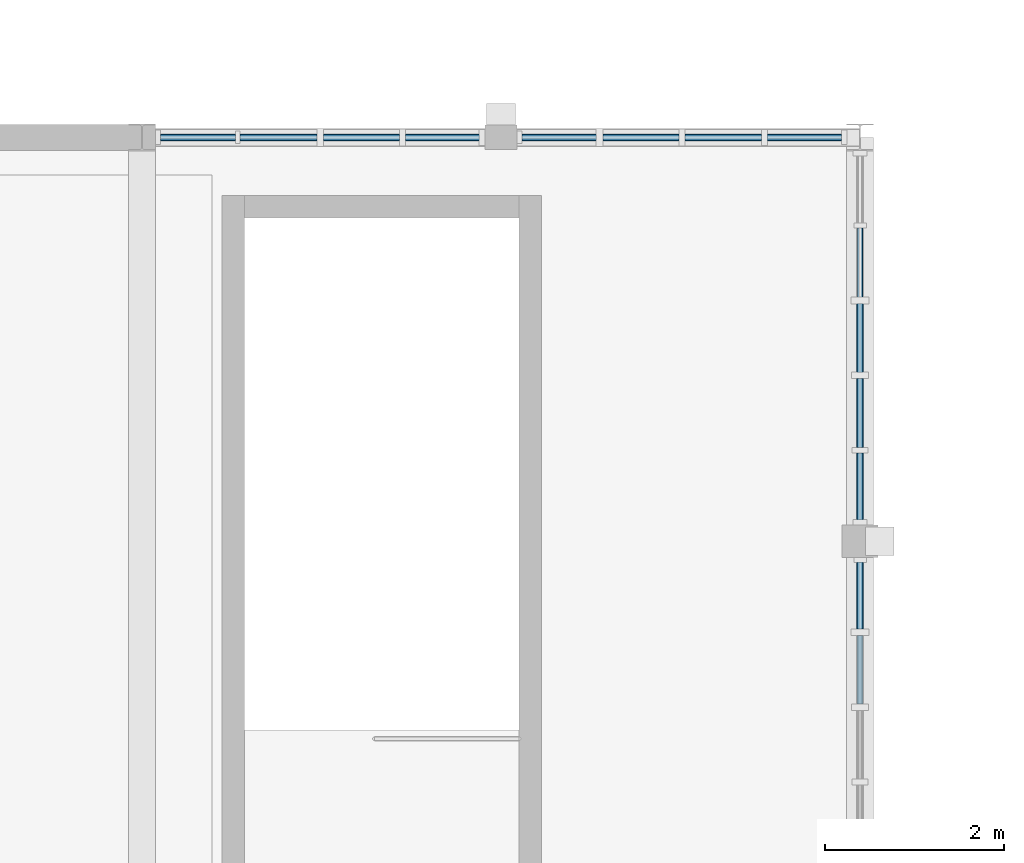
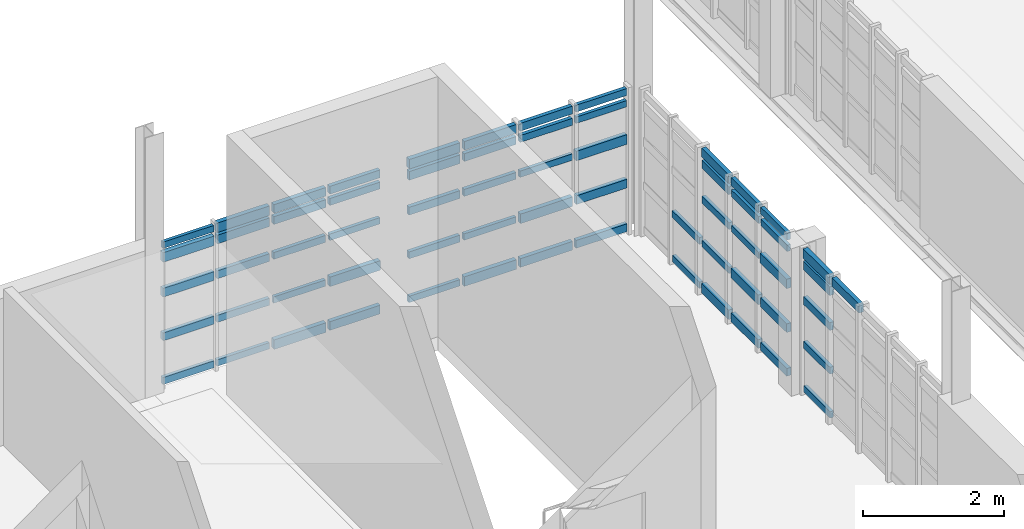
# One storey, part 20 of 44: 63 members, 4 elements without a shape of their own.
"""IFC4 building model written with IfcOpenShell, lengths in metres."""

from ifc_helpers import new_model, si_unit, direction, frame, origin, origin_2d, place, context, subcontext, project, spatial, rectangle, extrude, material, material_profile, profile_set, type_object, element, aggregate, save


model = new_model("IFC4")

# Units and contexts
model_context = context("Model", 3, precision=1e-05, world=origin(), true_north=direction((0.0, 1.0)))
body_context = subcontext(model_context, "Body", "Model", "MODEL_VIEW")
ifc_project = project(units=[si_unit("LENGTHUNIT", "METRE"), si_unit("AREAUNIT", "SQUARE_METRE"), si_unit("VOLUMEUNIT", "CUBIC_METRE"), si_unit("PLANEANGLEUNIT", "RADIAN"), si_unit("MASSUNIT", "GRAM", prefix="KILO")], contexts=[model_context])

# Site, building, storey
site_placement = place(None, origin())
site = spatial("IfcSite", under=ifc_project, at=site_placement, CompositionType="ELEMENT")
building_placement = place(site_placement, origin())
building = spatial("IfcBuilding", under=site, at=building_placement, Name="Serraforn Aerial Cableway Station", CompositionType="ELEMENT")
storey_placement = place(building_placement, frame((0.0, 0.0, 13.800048828125)))
storey = spatial("IfcBuildingStorey", under=building, at=storey_placement, Name="L03", CompositionType="ELEMENT", Elevation=13.800048828125)

# Curtain wall, members
ifc_material_1 = material(Name="Anodised bronze unitised curtain wall")
curtain_wall_type_1 = type_object("IfcCurtainWallType", Name="CW-SYS-13", PredefinedType="USERDEFINED", material=ifc_material_1)
curtain_wall_1_placement = place(storey_placement, origin())
curtain_wall_1 = element("IfcCurtainWall", 1, at=curtain_wall_1_placement, inside=storey, type_object=curtain_wall_type_1, Name="Unitised Curtain Wall CW-W-L03-N3A", ObjectType="UNITISED CURTAIN WALL", PredefinedType="USERDEFINED")
ifc_material_2 = material(Name="Anodised bronze extruded aluminium", Category="aluminium")
ifc_material_profile_1 = material_profile(ifc_material_2, rectangle(XDim=0.054931640625, YDim=0.110107421875, at=origin_2d()), Name="CW TRANSOM 55x110")
ifc_profile_set_1 = profile_set([ifc_material_profile_1], Name="Anodised bronze extruded aluminium")
member_type_1 = type_object("IfcMemberType", Name="CW-TRN-1", PredefinedType="USERDEFINED", material=ifc_profile_set_1)
member_1_placement = place(storey_placement, frame((23.7939453125, 36.0, 2.243896484375), z_axis=(-1.0, 0.0, 0.0), x_axis=(0.0, -1.0, 0.0)))
member_1 = element("IfcMember", 2, at=member_1_placement, type_object=member_type_1, Name="Curtain Wall Transom CW-W-L03-N3A-T1-4", ObjectType="TRANSOM", PredefinedType="USERDEFINED", context=body_context, shape_type="SweptSolid", body=[
    extrude(rectangle(XDim=0.054931640625, YDim=0.110107421875, at=origin_2d()), origin(), (0.0, 0.0, 1.0), 0.829345703125),
])
member_2_placement = place(storey_placement, frame((22.903564453125, 36.0, 1.6318359375), z_axis=(-1.0, 0.0, 0.0), x_axis=(0.0, -1.0, 0.0)))
member_2 = element("IfcMember", 3, at=member_2_placement, type_object=member_type_1, Name="Curtain Wall Transom CW-W-L03-N3A-T2-3", ObjectType="TRANSOM", PredefinedType="USERDEFINED", context=body_context, shape_type="SweptSolid", body=[
    extrude(rectangle(XDim=0.054931640625, YDim=0.110107421875, at=origin_2d()), origin(), (0.0, 0.0, 1.0), 0.8544921875),
])
member_3_placement = place(storey_placement, frame((21.98291015625, 36.0, 0.866943359375), z_axis=(-1.0, 0.0, 0.0), x_axis=(0.0, -1.0, 0.0)))
member_3 = element("IfcMember", 4, at=member_3_placement, type_object=member_type_1, Name="Curtain Wall Transom CW-W-L03-N3A-T3-2", ObjectType="TRANSOM", PredefinedType="USERDEFINED", context=body_context, shape_type="SweptSolid", body=[
    extrude(rectangle(XDim=0.054931640625, YDim=0.110107421875, at=origin_2d()), origin(), (0.0, 0.0, 1.0), 0.849365234375),
])
member_4_placement = place(storey_placement, frame((21.0625, 36.0, 0.10205078125), z_axis=(-1.0, 0.0, 0.0), x_axis=(0.0, -1.0, 0.0)))
member_4 = element("IfcMember", 5, at=member_4_placement, type_object=member_type_1, Name="Curtain Wall Transom CW-W-L03-N3A-T4-1", ObjectType="TRANSOM", PredefinedType="USERDEFINED", context=body_context, shape_type="SweptSolid", body=[
    extrude(rectangle(XDim=0.054931640625, YDim=0.110107421875, at=origin_2d()), origin(), (0.0, 0.0, 1.0), 0.82958984375),
])

curtain_wall_type_2 = type_object("IfcCurtainWallType", Name="CW-SYS-14", PredefinedType="USERDEFINED", material=ifc_material_1)
curtain_wall_2_placement = place(storey_placement, origin())
curtain_wall_2 = element("IfcCurtainWall", 6, at=curtain_wall_2_placement, inside=storey, type_object=curtain_wall_type_2, Name="Unitised Curtain Wall CW-W-L03-N3B", ObjectType="UNITISED CURTAIN WALL", PredefinedType="USERDEFINED")
member_5_placement = place(storey_placement, frame((19.757080078125, 36.0, 1.6318359375), z_axis=(-1.0, 0.0, 0.0), x_axis=(0.0, -1.0, 0.0)))
member_5 = element("IfcMember", 7, at=member_5_placement, type_object=member_type_1, Name="Curtain Wall Transom CW-W-L03-N3B-T1-3", ObjectType="TRANSOM", PredefinedType="USERDEFINED", context=body_context, shape_type="SweptSolid", body=[
    extrude(rectangle(XDim=0.054931640625, YDim=0.110107421875, at=origin_2d()), origin(), (0.0, 0.0, 1.0), 0.822021484375),
])
member_6_placement = place(storey_placement, frame((18.868896484375, 36.0, 0.866943359375), z_axis=(-1.0, 0.0, 0.0), x_axis=(0.0, -1.0, 0.0)))
member_6 = element("IfcMember", 8, at=member_6_placement, type_object=member_type_1, Name="Curtain Wall Transom CW-W-L03-N3B-T2-2", ObjectType="TRANSOM", PredefinedType="USERDEFINED", context=body_context, shape_type="SweptSolid", body=[
    extrude(rectangle(XDim=0.054931640625, YDim=0.110107421875, at=origin_2d()), origin(), (0.0, 0.0, 1.0), 0.849365234375),
])
member_7_placement = place(storey_placement, frame((17.948486328125, 36.0, 0.10205078125), z_axis=(-1.0, 0.0, 0.0), x_axis=(0.0, -1.0, 0.0)))
member_7 = element("IfcMember", 9, at=member_7_placement, type_object=member_type_1, Name="Curtain Wall Transom CW-W-L03-N3B-T3-1", ObjectType="TRANSOM", PredefinedType="USERDEFINED", context=body_context, shape_type="SweptSolid", body=[
    extrude(rectangle(XDim=0.054931640625, YDim=0.110107421875, at=origin_2d()), origin(), (0.0, 0.0, 1.0), 0.85693359375),
])
member_8_placement = place(storey_placement, frame((17.04052734375, 36.0, 2.447998046875), z_axis=(-1.0, 0.0, 0.0), x_axis=(0.0, -1.0, 0.0)))
member_8 = element("IfcMember", 10, at=member_8_placement, type_object=member_type_1, Name="Curtain Wall Transom CW-W-L03-N3B-T4-5", ObjectType="TRANSOM", PredefinedType="USERDEFINED", context=body_context, shape_type="SweptSolid", body=[
    extrude(rectangle(XDim=0.054931640625, YDim=0.110107421875, at=origin_2d()), origin(), (0.0, 0.0, 1.0), 0.83447265625),
])

# Curtain wall, member
curtain_wall_type_3 = type_object("IfcCurtainWallType", Name="CW-SYS-17", PredefinedType="USERDEFINED", material=ifc_material_1)
curtain_wall_3_placement = place(storey_placement, origin())
curtain_wall_3 = element("IfcCurtainWall", 11, at=curtain_wall_3_placement, inside=storey, type_object=curtain_wall_type_3, Name="Unitised Curtain Wall CW-W-L03-E2A", ObjectType="UNITISED CURTAIN WALL", PredefinedType="USERDEFINED")
member_9_placement = place(storey_placement, frame((24.0, 30.52099609375, 0.10205078125), z_axis=(0.0, 1.0, 0.0), x_axis=(-1.0, 0.0, 0.0)))
member_9 = element("IfcMember", 12, at=member_9_placement, type_object=member_type_1, Name="Curtain Wall Transom CW-W-L03-E2A-T5-1", ObjectType="TRANSOM", PredefinedType="USERDEFINED", context=body_context, shape_type="SweptSolid", body=[
    extrude(rectangle(XDim=0.054931640625, YDim=0.110107421875, at=origin_2d()), origin(), (0.0, 0.0, 1.0), 0.74609375),
])

# Curtain wall, members
curtain_wall_type_4 = type_object("IfcCurtainWallType", Name="CW-SYS-18", PredefinedType="USERDEFINED", material=ifc_material_1)
curtain_wall_4_placement = place(storey_placement, origin())
curtain_wall_4 = element("IfcCurtainWall", 13, at=curtain_wall_4_placement, inside=storey, type_object=curtain_wall_type_4, Name="Unitised Curtain Wall CW-W-L03-E2B", ObjectType="UNITISED CURTAIN WALL", PredefinedType="USERDEFINED")
member_10_placement = place(storey_placement, frame((24.0, 31.738037109375, 2.243896484375), z_axis=(0.0, 1.0, 0.0), x_axis=(-1.0, 0.0, 0.0)))
member_10 = element("IfcMember", 14, at=member_10_placement, type_object=member_type_1, Name="Curtain Wall Transom CW-W-L03-E2B-T1-4", ObjectType="TRANSOM", PredefinedType="USERDEFINED", context=body_context, shape_type="SweptSolid", body=[
    extrude(rectangle(XDim=0.054931640625, YDim=0.110107421875, at=origin_2d()), origin(), (0.0, 0.0, 1.0), 0.745849609375),
])
member_11_placement = place(storey_placement, frame((24.0, 32.544921875, 1.6318359375), z_axis=(0.0, 1.0, 0.0), x_axis=(-1.0, 0.0, 0.0)))
member_11 = element("IfcMember", 15, at=member_11_placement, type_object=member_type_1, Name="Curtain Wall Transom CW-W-L03-E2B-T2-3", ObjectType="TRANSOM", PredefinedType="USERDEFINED", context=body_context, shape_type="SweptSolid", body=[
    extrude(rectangle(XDim=0.054931640625, YDim=0.110107421875, at=origin_2d()), origin(), (0.0, 0.0, 1.0), 0.77099609375),
])
member_12_placement = place(storey_placement, frame((24.0, 33.3818359375, 0.866943359375), z_axis=(0.0, 1.0, 0.0), x_axis=(-1.0, 0.0, 0.0)))
member_12 = element("IfcMember", 16, at=member_12_placement, type_object=member_type_1, Name="Curtain Wall Transom CW-W-L03-E2B-T3-2", ObjectType="TRANSOM", PredefinedType="USERDEFINED", context=body_context, shape_type="SweptSolid", body=[
    extrude(rectangle(XDim=0.054931640625, YDim=0.110107421875, at=origin_2d()), origin(), (0.0, 0.0, 1.0), 0.765869140625),
])
member_13_placement = place(storey_placement, frame((24.0, 34.21875, 0.10205078125), z_axis=(0.0, 1.0, 0.0), x_axis=(-1.0, 0.0, 0.0)))
member_13 = element("IfcMember", 17, at=member_13_placement, type_object=member_type_1, Name="Curtain Wall Transom CW-W-L03-E2B-T4-1", ObjectType="TRANSOM", PredefinedType="USERDEFINED", context=body_context, shape_type="SweptSolid", body=[
    extrude(rectangle(XDim=0.054931640625, YDim=0.110107421875, at=origin_2d()), origin(), (0.0, 0.0, 1.0), 0.7734375),
])

# Member
ifc_material_profile_2 = material_profile(ifc_material_2, rectangle(XDim=0.06005859375, YDim=0.1201171875, at=origin_2d()), Name="CW TRANSOM 60x120")
ifc_profile_set_2 = profile_set([ifc_material_profile_2], Name="Anodised bronze extruded aluminium")
member_type_2 = type_object("IfcMemberType", Name="CW-TRN-2", PredefinedType="USERDEFINED", material=ifc_profile_set_2)
member_14_placement = place(storey_placement, frame((23.7939453125, 36.0, 2.447998046875), z_axis=(-1.0, 0.0, 0.0), x_axis=(0.0, -1.0, 0.0)))
member_14 = element("IfcMember", 18, at=member_14_placement, type_object=member_type_2, Name="Curtain Wall Transom CW-W-L03-N3A-T1-5", ObjectType="TRANSOM", PredefinedType="USERDEFINED", context=body_context, shape_type="SweptSolid", body=[
    extrude(rectangle(XDim=0.06005859375, YDim=0.1201171875, at=origin_2d()), origin(), (0.0, 0.0, 1.0), 0.829345703125),
])

member_15_placement = place(storey_placement, frame((22.903564453125, 36.0, 2.243896484375), z_axis=(-1.0, 0.0, 0.0), x_axis=(0.0, -1.0, 0.0)))
member_15 = element("IfcMember", 19, at=member_15_placement, type_object=member_type_2, Name="Curtain Wall Transom CW-W-L03-N3A-T2-4", ObjectType="TRANSOM", PredefinedType="USERDEFINED", context=body_context, shape_type="SweptSolid", body=[
    extrude(rectangle(XDim=0.06005859375, YDim=0.1201171875, at=origin_2d()), origin(), (0.0, 0.0, 1.0), 0.8544921875),
])

member_16_placement = place(storey_placement, frame((21.98291015625, 36.0, 1.6318359375), z_axis=(-1.0, 0.0, 0.0), x_axis=(0.0, -1.0, 0.0)))
member_16 = element("IfcMember", 20, at=member_16_placement, type_object=member_type_2, Name="Curtain Wall Transom CW-W-L03-N3A-T3-3", ObjectType="TRANSOM", PredefinedType="USERDEFINED", context=body_context, shape_type="SweptSolid", body=[
    extrude(rectangle(XDim=0.06005859375, YDim=0.1201171875, at=origin_2d()), origin(), (0.0, 0.0, 1.0), 0.849365234375),
])

member_17_placement = place(storey_placement, frame((21.0625, 36.0, 0.866943359375), z_axis=(-1.0, 0.0, 0.0), x_axis=(0.0, -1.0, 0.0)))
member_17 = element("IfcMember", 21, at=member_17_placement, type_object=member_type_2, Name="Curtain Wall Transom CW-W-L03-N3A-T4-2", ObjectType="TRANSOM", PredefinedType="USERDEFINED", context=body_context, shape_type="SweptSolid", body=[
    extrude(rectangle(XDim=0.06005859375, YDim=0.1201171875, at=origin_2d()), origin(), (0.0, 0.0, 1.0), 0.82958984375),
])

member_18_placement = place(storey_placement, frame((19.757080078125, 36.0, 2.243896484375), z_axis=(-1.0, 0.0, 0.0), x_axis=(0.0, -1.0, 0.0)))
member_18 = element("IfcMember", 22, at=member_18_placement, type_object=member_type_2, Name="Curtain Wall Transom CW-W-L03-N3B-T1-4", ObjectType="TRANSOM", PredefinedType="USERDEFINED", context=body_context, shape_type="SweptSolid", body=[
    extrude(rectangle(XDim=0.06005859375, YDim=0.1201171875, at=origin_2d()), origin(), (0.0, 0.0, 1.0), 0.822021484375),
])

member_19_placement = place(storey_placement, frame((18.868896484375, 36.0, 1.6318359375), z_axis=(-1.0, 0.0, 0.0), x_axis=(0.0, -1.0, 0.0)))
member_19 = element("IfcMember", 23, at=member_19_placement, type_object=member_type_2, Name="Curtain Wall Transom CW-W-L03-N3B-T2-3", ObjectType="TRANSOM", PredefinedType="USERDEFINED", context=body_context, shape_type="SweptSolid", body=[
    extrude(rectangle(XDim=0.06005859375, YDim=0.1201171875, at=origin_2d()), origin(), (0.0, 0.0, 1.0), 0.849365234375),
])

member_20_placement = place(storey_placement, frame((17.948486328125, 36.0, 0.866943359375), z_axis=(-1.0, 0.0, 0.0), x_axis=(0.0, -1.0, 0.0)))
member_20 = element("IfcMember", 24, at=member_20_placement, type_object=member_type_2, Name="Curtain Wall Transom CW-W-L03-N3B-T3-2", ObjectType="TRANSOM", PredefinedType="USERDEFINED", context=body_context, shape_type="SweptSolid", body=[
    extrude(rectangle(XDim=0.06005859375, YDim=0.1201171875, at=origin_2d()), origin(), (0.0, 0.0, 1.0), 0.85693359375),
])

member_21_placement = place(storey_placement, frame((17.04052734375, 36.0, 0.10205078125), z_axis=(-1.0, 0.0, 0.0), x_axis=(0.0, -1.0, 0.0)))
member_21 = element("IfcMember", 25, at=member_21_placement, type_object=member_type_2, Name="Curtain Wall Transom CW-W-L03-N3B-T4-1", ObjectType="TRANSOM", PredefinedType="USERDEFINED", context=body_context, shape_type="SweptSolid", body=[
    extrude(rectangle(XDim=0.06005859375, YDim=0.1201171875, at=origin_2d()), origin(), (0.0, 0.0, 1.0), 0.83447265625),
])

member_22_placement = place(storey_placement, frame((24.0, 30.52099609375, 0.866943359375), z_axis=(0.0, 1.0, 0.0), x_axis=(-1.0, 0.0, 0.0)))
member_22 = element("IfcMember", 26, at=member_22_placement, type_object=member_type_2, Name="Curtain Wall Transom CW-W-L03-E2A-T5-2", ObjectType="TRANSOM", PredefinedType="USERDEFINED", context=body_context, shape_type="SweptSolid", body=[
    extrude(rectangle(XDim=0.06005859375, YDim=0.1201171875, at=origin_2d()), origin(), (0.0, 0.0, 1.0), 0.74609375),
])

member_23_placement = place(storey_placement, frame((24.0, 31.738037109375, 2.447998046875), z_axis=(0.0, 1.0, 0.0), x_axis=(-1.0, 0.0, 0.0)))
member_23 = element("IfcMember", 27, at=member_23_placement, type_object=member_type_2, Name="Curtain Wall Transom CW-W-L03-E2B-T1-5", ObjectType="TRANSOM", PredefinedType="USERDEFINED", context=body_context, shape_type="SweptSolid", body=[
    extrude(rectangle(XDim=0.06005859375, YDim=0.1201171875, at=origin_2d()), origin(), (0.0, 0.0, 1.0), 0.745849609375),
])

member_24_placement = place(storey_placement, frame((24.0, 32.544921875, 2.243896484375), z_axis=(0.0, 1.0, 0.0), x_axis=(-1.0, 0.0, 0.0)))
member_24 = element("IfcMember", 28, at=member_24_placement, type_object=member_type_2, Name="Curtain Wall Transom CW-W-L03-E2B-T2-4", ObjectType="TRANSOM", PredefinedType="USERDEFINED", context=body_context, shape_type="SweptSolid", body=[
    extrude(rectangle(XDim=0.06005859375, YDim=0.1201171875, at=origin_2d()), origin(), (0.0, 0.0, 1.0), 0.77099609375),
])

member_25_placement = place(storey_placement, frame((24.0, 33.3818359375, 1.6318359375), z_axis=(0.0, 1.0, 0.0), x_axis=(-1.0, 0.0, 0.0)))
member_25 = element("IfcMember", 29, at=member_25_placement, type_object=member_type_2, Name="Curtain Wall Transom CW-W-L03-E2B-T3-3", ObjectType="TRANSOM", PredefinedType="USERDEFINED", context=body_context, shape_type="SweptSolid", body=[
    extrude(rectangle(XDim=0.06005859375, YDim=0.1201171875, at=origin_2d()), origin(), (0.0, 0.0, 1.0), 0.765869140625),
])

member_26_placement = place(storey_placement, frame((24.0, 34.21875, 0.866943359375), z_axis=(0.0, 1.0, 0.0), x_axis=(-1.0, 0.0, 0.0)))
member_26 = element("IfcMember", 30, at=member_26_placement, type_object=member_type_2, Name="Curtain Wall Transom CW-W-L03-E2B-T4-2", ObjectType="TRANSOM", PredefinedType="USERDEFINED", context=body_context, shape_type="SweptSolid", body=[
    extrude(rectangle(XDim=0.06005859375, YDim=0.1201171875, at=origin_2d()), origin(), (0.0, 0.0, 1.0), 0.7734375),
])

ifc_material_profile_3 = material_profile(ifc_material_2, rectangle(XDim=0.06494140625, YDim=0.135009765625, at=origin_2d()), Name="CW TRANSOM 65x135")
ifc_profile_set_3 = profile_set([ifc_material_profile_3], Name="Anodised bronze extruded aluminium")
member_type_3 = type_object("IfcMemberType", Name="CW-TRN-3", PredefinedType="USERDEFINED", material=ifc_profile_set_3)
member_27_placement = place(storey_placement, frame((23.7939453125, 36.0, 0.10205078125), z_axis=(-1.0, 0.0, 0.0), x_axis=(0.0, -1.0, 0.0)))
member_27 = element("IfcMember", 31, at=member_27_placement, type_object=member_type_3, Name="Curtain Wall Transom CW-W-L03-N3A-T1-1", ObjectType="TRANSOM", PredefinedType="USERDEFINED", context=body_context, shape_type="SweptSolid", body=[
    extrude(rectangle(XDim=0.06494140625, YDim=0.135009765625, at=origin_2d()), origin(), (0.0, 0.0, 1.0), 0.829345703125),
])

member_28_placement = place(storey_placement, frame((22.903564453125, 36.0, 2.447998046875), z_axis=(-1.0, 0.0, 0.0), x_axis=(0.0, -1.0, 0.0)))
member_28 = element("IfcMember", 32, at=member_28_placement, type_object=member_type_3, Name="Curtain Wall Transom CW-W-L03-N3A-T2-5", ObjectType="TRANSOM", PredefinedType="USERDEFINED", context=body_context, shape_type="SweptSolid", body=[
    extrude(rectangle(XDim=0.06494140625, YDim=0.135009765625, at=origin_2d()), origin(), (0.0, 0.0, 1.0), 0.8544921875),
])

member_29_placement = place(storey_placement, frame((21.98291015625, 36.0, 2.243896484375), z_axis=(-1.0, 0.0, 0.0), x_axis=(0.0, -1.0, 0.0)))
member_29 = element("IfcMember", 33, at=member_29_placement, type_object=member_type_3, Name="Curtain Wall Transom CW-W-L03-N3A-T3-4", ObjectType="TRANSOM", PredefinedType="USERDEFINED", context=body_context, shape_type="SweptSolid", body=[
    extrude(rectangle(XDim=0.06494140625, YDim=0.135009765625, at=origin_2d()), origin(), (0.0, 0.0, 1.0), 0.849365234375),
])

member_30_placement = place(storey_placement, frame((21.0625, 36.0, 1.6318359375), z_axis=(-1.0, 0.0, 0.0), x_axis=(0.0, -1.0, 0.0)))
member_30 = element("IfcMember", 34, at=member_30_placement, type_object=member_type_3, Name="Curtain Wall Transom CW-W-L03-N3A-T4-3", ObjectType="TRANSOM", PredefinedType="USERDEFINED", context=body_context, shape_type="SweptSolid", body=[
    extrude(rectangle(XDim=0.06494140625, YDim=0.135009765625, at=origin_2d()), origin(), (0.0, 0.0, 1.0), 0.82958984375),
])

member_31_placement = place(storey_placement, frame((19.757080078125, 36.0, 2.447998046875), z_axis=(-1.0, 0.0, 0.0), x_axis=(0.0, -1.0, 0.0)))
member_31 = element("IfcMember", 35, at=member_31_placement, type_object=member_type_3, Name="Curtain Wall Transom CW-W-L03-N3B-T1-5", ObjectType="TRANSOM", PredefinedType="USERDEFINED", context=body_context, shape_type="SweptSolid", body=[
    extrude(rectangle(XDim=0.06494140625, YDim=0.135009765625, at=origin_2d()), origin(), (0.0, 0.0, 1.0), 0.822021484375),
])

member_32_placement = place(storey_placement, frame((18.868896484375, 36.0, 2.243896484375), z_axis=(-1.0, 0.0, 0.0), x_axis=(0.0, -1.0, 0.0)))
member_32 = element("IfcMember", 36, at=member_32_placement, type_object=member_type_3, Name="Curtain Wall Transom CW-W-L03-N3B-T2-4", ObjectType="TRANSOM", PredefinedType="USERDEFINED", context=body_context, shape_type="SweptSolid", body=[
    extrude(rectangle(XDim=0.06494140625, YDim=0.135009765625, at=origin_2d()), origin(), (0.0, 0.0, 1.0), 0.849365234375),
])

member_33_placement = place(storey_placement, frame((17.948486328125, 36.0, 1.6318359375), z_axis=(-1.0, 0.0, 0.0), x_axis=(0.0, -1.0, 0.0)))
member_33 = element("IfcMember", 37, at=member_33_placement, type_object=member_type_3, Name="Curtain Wall Transom CW-W-L03-N3B-T3-3", ObjectType="TRANSOM", PredefinedType="USERDEFINED", context=body_context, shape_type="SweptSolid", body=[
    extrude(rectangle(XDim=0.06494140625, YDim=0.135009765625, at=origin_2d()), origin(), (0.0, 0.0, 1.0), 0.85693359375),
])

member_34_placement = place(storey_placement, frame((17.04052734375, 36.0, 0.866943359375), z_axis=(-1.0, 0.0, 0.0), x_axis=(0.0, -1.0, 0.0)))
member_34 = element("IfcMember", 38, at=member_34_placement, type_object=member_type_3, Name="Curtain Wall Transom CW-W-L03-N3B-T4-2", ObjectType="TRANSOM", PredefinedType="USERDEFINED", context=body_context, shape_type="SweptSolid", body=[
    extrude(rectangle(XDim=0.06494140625, YDim=0.135009765625, at=origin_2d()), origin(), (0.0, 0.0, 1.0), 0.83447265625),
])

member_35_placement = place(storey_placement, frame((24.0, 30.52099609375, 1.6318359375), z_axis=(0.0, 1.0, 0.0), x_axis=(-1.0, 0.0, 0.0)))
member_35 = element("IfcMember", 39, at=member_35_placement, type_object=member_type_3, Name="Curtain Wall Transom CW-W-L03-E2A-T5-3", ObjectType="TRANSOM", PredefinedType="USERDEFINED", context=body_context, shape_type="SweptSolid", body=[
    extrude(rectangle(XDim=0.06494140625, YDim=0.135009765625, at=origin_2d()), origin(), (0.0, 0.0, 1.0), 0.74609375),
])

member_36_placement = place(storey_placement, frame((24.0, 31.738037109375, 0.10205078125), z_axis=(0.0, 1.0, 0.0), x_axis=(-1.0, 0.0, 0.0)))
member_36 = element("IfcMember", 40, at=member_36_placement, type_object=member_type_3, Name="Curtain Wall Transom CW-W-L03-E2B-T1-1", ObjectType="TRANSOM", PredefinedType="USERDEFINED", context=body_context, shape_type="SweptSolid", body=[
    extrude(rectangle(XDim=0.06494140625, YDim=0.135009765625, at=origin_2d()), origin(), (0.0, 0.0, 1.0), 0.745849609375),
])

member_37_placement = place(storey_placement, frame((24.0, 32.544921875, 2.447998046875), z_axis=(0.0, 1.0, 0.0), x_axis=(-1.0, 0.0, 0.0)))
member_37 = element("IfcMember", 41, at=member_37_placement, type_object=member_type_3, Name="Curtain Wall Transom CW-W-L03-E2B-T2-5", ObjectType="TRANSOM", PredefinedType="USERDEFINED", context=body_context, shape_type="SweptSolid", body=[
    extrude(rectangle(XDim=0.06494140625, YDim=0.135009765625, at=origin_2d()), origin(), (0.0, 0.0, 1.0), 0.77099609375),
])

member_38_placement = place(storey_placement, frame((24.0, 33.3818359375, 2.243896484375), z_axis=(0.0, 1.0, 0.0), x_axis=(-1.0, 0.0, 0.0)))
member_38 = element("IfcMember", 42, at=member_38_placement, type_object=member_type_3, Name="Curtain Wall Transom CW-W-L03-E2B-T3-4", ObjectType="TRANSOM", PredefinedType="USERDEFINED", context=body_context, shape_type="SweptSolid", body=[
    extrude(rectangle(XDim=0.06494140625, YDim=0.135009765625, at=origin_2d()), origin(), (0.0, 0.0, 1.0), 0.765869140625),
])

ifc_material_profile_4 = material_profile(ifc_material_2, rectangle(XDim=0.070068359375, YDim=0.14990234375, at=origin_2d()), Name="CW TRANSOM 70x150")
ifc_profile_set_4 = profile_set([ifc_material_profile_4], Name="Anodised bronze extruded aluminium")
member_type_4 = type_object("IfcMemberType", Name="CW-TRN-4", PredefinedType="USERDEFINED", material=ifc_profile_set_4)
member_39_placement = place(storey_placement, frame((23.7939453125, 36.0, 0.866943359375), z_axis=(-1.0, 0.0, 0.0), x_axis=(0.0, -1.0, 0.0)))
member_39 = element("IfcMember", 43, at=member_39_placement, type_object=member_type_4, Name="Curtain Wall Transom CW-W-L03-N3A-T1-2", ObjectType="TRANSOM", PredefinedType="USERDEFINED", context=body_context, shape_type="SweptSolid", body=[
    extrude(rectangle(XDim=0.070068359375, YDim=0.14990234375, at=origin_2d()), origin(), (0.0, 0.0, 1.0), 0.829345703125),
])

member_40_placement = place(storey_placement, frame((22.903564453125, 36.0, 0.10205078125), z_axis=(-1.0, 0.0, 0.0), x_axis=(0.0, -1.0, 0.0)))
member_40 = element("IfcMember", 44, at=member_40_placement, type_object=member_type_4, Name="Curtain Wall Transom CW-W-L03-N3A-T2-1", ObjectType="TRANSOM", PredefinedType="USERDEFINED", context=body_context, shape_type="SweptSolid", body=[
    extrude(rectangle(XDim=0.070068359375, YDim=0.14990234375, at=origin_2d()), origin(), (0.0, 0.0, 1.0), 0.8544921875),
])

member_41_placement = place(storey_placement, frame((21.98291015625, 36.0, 2.447998046875), z_axis=(-1.0, 0.0, 0.0), x_axis=(0.0, -1.0, 0.0)))
member_41 = element("IfcMember", 45, at=member_41_placement, type_object=member_type_4, Name="Curtain Wall Transom CW-W-L03-N3A-T3-5", ObjectType="TRANSOM", PredefinedType="USERDEFINED", context=body_context, shape_type="SweptSolid", body=[
    extrude(rectangle(XDim=0.070068359375, YDim=0.14990234375, at=origin_2d()), origin(), (0.0, 0.0, 1.0), 0.849365234375),
])

member_42_placement = place(storey_placement, frame((21.0625, 36.0, 2.243896484375), z_axis=(-1.0, 0.0, 0.0), x_axis=(0.0, -1.0, 0.0)))
member_42 = element("IfcMember", 46, at=member_42_placement, type_object=member_type_4, Name="Curtain Wall Transom CW-W-L03-N3A-T4-4", ObjectType="TRANSOM", PredefinedType="USERDEFINED", context=body_context, shape_type="SweptSolid", body=[
    extrude(rectangle(XDim=0.070068359375, YDim=0.14990234375, at=origin_2d()), origin(), (0.0, 0.0, 1.0), 0.82958984375),
])

member_43_placement = place(storey_placement, frame((19.757080078125, 36.0, 0.10205078125), z_axis=(-1.0, 0.0, 0.0), x_axis=(0.0, -1.0, 0.0)))
member_43 = element("IfcMember", 47, at=member_43_placement, type_object=member_type_4, Name="Curtain Wall Transom CW-W-L03-N3B-T1-1", ObjectType="TRANSOM", PredefinedType="USERDEFINED", context=body_context, shape_type="SweptSolid", body=[
    extrude(rectangle(XDim=0.070068359375, YDim=0.14990234375, at=origin_2d()), origin(), (0.0, 0.0, 1.0), 0.822021484375),
])

member_44_placement = place(storey_placement, frame((18.868896484375, 36.0, 2.447998046875), z_axis=(-1.0, 0.0, 0.0), x_axis=(0.0, -1.0, 0.0)))
member_44 = element("IfcMember", 48, at=member_44_placement, type_object=member_type_4, Name="Curtain Wall Transom CW-W-L03-N3B-T2-5", ObjectType="TRANSOM", PredefinedType="USERDEFINED", context=body_context, shape_type="SweptSolid", body=[
    extrude(rectangle(XDim=0.070068359375, YDim=0.14990234375, at=origin_2d()), origin(), (0.0, 0.0, 1.0), 0.849365234375),
])

member_45_placement = place(storey_placement, frame((17.948486328125, 36.0, 2.243896484375), z_axis=(-1.0, 0.0, 0.0), x_axis=(0.0, -1.0, 0.0)))
member_45 = element("IfcMember", 49, at=member_45_placement, type_object=member_type_4, Name="Curtain Wall Transom CW-W-L03-N3B-T3-4", ObjectType="TRANSOM", PredefinedType="USERDEFINED", context=body_context, shape_type="SweptSolid", body=[
    extrude(rectangle(XDim=0.070068359375, YDim=0.14990234375, at=origin_2d()), origin(), (0.0, 0.0, 1.0), 0.85693359375),
])

member_46_placement = place(storey_placement, frame((17.04052734375, 36.0, 1.6318359375), z_axis=(-1.0, 0.0, 0.0), x_axis=(0.0, -1.0, 0.0)))
member_46 = element("IfcMember", 50, at=member_46_placement, type_object=member_type_4, Name="Curtain Wall Transom CW-W-L03-N3B-T4-3", ObjectType="TRANSOM", PredefinedType="USERDEFINED", context=body_context, shape_type="SweptSolid", body=[
    extrude(rectangle(XDim=0.070068359375, YDim=0.14990234375, at=origin_2d()), origin(), (0.0, 0.0, 1.0), 0.83447265625),
])

member_47_placement = place(storey_placement, frame((24.0, 29.68408203125, 2.447998046875), z_axis=(0.0, 1.0, 0.0), x_axis=(-1.0, 0.0, 0.0)))
member_47 = element("IfcMember", 51, at=member_47_placement, type_object=member_type_4, Name="Curtain Wall Transom CW-W-L03-E2A-T4-5", ObjectType="TRANSOM", PredefinedType="USERDEFINED", context=body_context, shape_type="SweptSolid", body=[
    extrude(rectangle(XDim=0.070068359375, YDim=0.14990234375, at=origin_2d()), origin(), (0.0, 0.0, 1.0), 0.76611328125),
])

member_48_placement = place(storey_placement, frame((24.0, 30.52099609375, 2.243896484375), z_axis=(0.0, 1.0, 0.0), x_axis=(-1.0, 0.0, 0.0)))
member_48 = element("IfcMember", 52, at=member_48_placement, type_object=member_type_4, Name="Curtain Wall Transom CW-W-L03-E2A-T5-4", ObjectType="TRANSOM", PredefinedType="USERDEFINED", context=body_context, shape_type="SweptSolid", body=[
    extrude(rectangle(XDim=0.070068359375, YDim=0.14990234375, at=origin_2d()), origin(), (0.0, 0.0, 1.0), 0.74609375),
])

member_49_placement = place(storey_placement, frame((24.0, 31.738037109375, 0.866943359375), z_axis=(0.0, 1.0, 0.0), x_axis=(-1.0, 0.0, 0.0)))
member_49 = element("IfcMember", 53, at=member_49_placement, type_object=member_type_4, Name="Curtain Wall Transom CW-W-L03-E2B-T1-2", ObjectType="TRANSOM", PredefinedType="USERDEFINED", context=body_context, shape_type="SweptSolid", body=[
    extrude(rectangle(XDim=0.070068359375, YDim=0.14990234375, at=origin_2d()), origin(), (0.0, 0.0, 1.0), 0.745849609375),
])

member_50_placement = place(storey_placement, frame((24.0, 32.544921875, 0.10205078125), z_axis=(0.0, 1.0, 0.0), x_axis=(-1.0, 0.0, 0.0)))
member_50 = element("IfcMember", 54, at=member_50_placement, type_object=member_type_4, Name="Curtain Wall Transom CW-W-L03-E2B-T2-1", ObjectType="TRANSOM", PredefinedType="USERDEFINED", context=body_context, shape_type="SweptSolid", body=[
    extrude(rectangle(XDim=0.070068359375, YDim=0.14990234375, at=origin_2d()), origin(), (0.0, 0.0, 1.0), 0.77099609375),
])

member_51_placement = place(storey_placement, frame((24.0, 33.3818359375, 2.447998046875), z_axis=(0.0, 1.0, 0.0), x_axis=(-1.0, 0.0, 0.0)))
member_51 = element("IfcMember", 55, at=member_51_placement, type_object=member_type_4, Name="Curtain Wall Transom CW-W-L03-E2B-T3-5", ObjectType="TRANSOM", PredefinedType="USERDEFINED", context=body_context, shape_type="SweptSolid", body=[
    extrude(rectangle(XDim=0.070068359375, YDim=0.14990234375, at=origin_2d()), origin(), (0.0, 0.0, 1.0), 0.765869140625),
])

ifc_material_profile_5 = material_profile(ifc_material_2, rectangle(XDim=0.074951171875, YDim=0.1650390625, at=origin_2d()), Name="CW TRANSOM 75x165")
ifc_profile_set_5 = profile_set([ifc_material_profile_5], Name="Anodised bronze extruded aluminium")
member_type_5 = type_object("IfcMemberType", Name="CW-TRN-5", PredefinedType="USERDEFINED", material=ifc_profile_set_5)
member_52_placement = place(storey_placement, frame((23.7939453125, 36.0, 1.6318359375), z_axis=(-1.0, 0.0, 0.0), x_axis=(0.0, -1.0, 0.0)))
member_52 = element("IfcMember", 56, at=member_52_placement, type_object=member_type_5, Name="Curtain Wall Transom CW-W-L03-N3A-T1-3", ObjectType="TRANSOM", PredefinedType="USERDEFINED", context=body_context, shape_type="SweptSolid", body=[
    extrude(rectangle(XDim=0.074951171875, YDim=0.1650390625, at=origin_2d()), origin(), (0.0, 0.0, 1.0), 0.829345703125),
])

member_53_placement = place(storey_placement, frame((22.903564453125, 36.0, 0.866943359375), z_axis=(-1.0, 0.0, 0.0), x_axis=(0.0, -1.0, 0.0)))
member_53 = element("IfcMember", 57, at=member_53_placement, type_object=member_type_5, Name="Curtain Wall Transom CW-W-L03-N3A-T2-2", ObjectType="TRANSOM", PredefinedType="USERDEFINED", context=body_context, shape_type="SweptSolid", body=[
    extrude(rectangle(XDim=0.074951171875, YDim=0.1650390625, at=origin_2d()), origin(), (0.0, 0.0, 1.0), 0.8544921875),
])

member_54_placement = place(storey_placement, frame((21.98291015625, 36.0, 0.10205078125), z_axis=(-1.0, 0.0, 0.0), x_axis=(0.0, -1.0, 0.0)))
member_54 = element("IfcMember", 58, at=member_54_placement, type_object=member_type_5, Name="Curtain Wall Transom CW-W-L03-N3A-T3-1", ObjectType="TRANSOM", PredefinedType="USERDEFINED", context=body_context, shape_type="SweptSolid", body=[
    extrude(rectangle(XDim=0.074951171875, YDim=0.1650390625, at=origin_2d()), origin(), (0.0, 0.0, 1.0), 0.849365234375),
])

member_55_placement = place(storey_placement, frame((21.0625, 36.0, 2.447998046875), z_axis=(-1.0, 0.0, 0.0), x_axis=(0.0, -1.0, 0.0)))
member_55 = element("IfcMember", 59, at=member_55_placement, type_object=member_type_5, Name="Curtain Wall Transom CW-W-L03-N3A-T4-5", ObjectType="TRANSOM", PredefinedType="USERDEFINED", context=body_context, shape_type="SweptSolid", body=[
    extrude(rectangle(XDim=0.074951171875, YDim=0.1650390625, at=origin_2d()), origin(), (0.0, 0.0, 1.0), 0.82958984375),
])

aggregate(curtain_wall_1, [member_27, member_39, member_52, member_1, member_14, member_40, member_53, member_2, member_15, member_28, member_54, member_3, member_16, member_29, member_41, member_4, member_17, member_30, member_42, member_55])

member_56_placement = place(storey_placement, frame((19.757080078125, 36.0, 0.866943359375), z_axis=(-1.0, 0.0, 0.0), x_axis=(0.0, -1.0, 0.0)))
member_56 = element("IfcMember", 60, at=member_56_placement, type_object=member_type_5, Name="Curtain Wall Transom CW-W-L03-N3B-T1-2", ObjectType="TRANSOM", PredefinedType="USERDEFINED", context=body_context, shape_type="SweptSolid", body=[
    extrude(rectangle(XDim=0.074951171875, YDim=0.1650390625, at=origin_2d()), origin(), (0.0, 0.0, 1.0), 0.822021484375),
])

member_57_placement = place(storey_placement, frame((18.868896484375, 36.0, 0.10205078125), z_axis=(-1.0, 0.0, 0.0), x_axis=(0.0, -1.0, 0.0)))
member_57 = element("IfcMember", 61, at=member_57_placement, type_object=member_type_5, Name="Curtain Wall Transom CW-W-L03-N3B-T2-1", ObjectType="TRANSOM", PredefinedType="USERDEFINED", context=body_context, shape_type="SweptSolid", body=[
    extrude(rectangle(XDim=0.074951171875, YDim=0.1650390625, at=origin_2d()), origin(), (0.0, 0.0, 1.0), 0.849365234375),
])

member_58_placement = place(storey_placement, frame((17.948486328125, 36.0, 2.447998046875), z_axis=(-1.0, 0.0, 0.0), x_axis=(0.0, -1.0, 0.0)))
member_58 = element("IfcMember", 62, at=member_58_placement, type_object=member_type_5, Name="Curtain Wall Transom CW-W-L03-N3B-T3-5", ObjectType="TRANSOM", PredefinedType="USERDEFINED", context=body_context, shape_type="SweptSolid", body=[
    extrude(rectangle(XDim=0.074951171875, YDim=0.1650390625, at=origin_2d()), origin(), (0.0, 0.0, 1.0), 0.85693359375),
])

member_59_placement = place(storey_placement, frame((17.04052734375, 36.0, 2.243896484375), z_axis=(-1.0, 0.0, 0.0), x_axis=(0.0, -1.0, 0.0)))
member_59 = element("IfcMember", 63, at=member_59_placement, type_object=member_type_5, Name="Curtain Wall Transom CW-W-L03-N3B-T4-4", ObjectType="TRANSOM", PredefinedType="USERDEFINED", context=body_context, shape_type="SweptSolid", body=[
    extrude(rectangle(XDim=0.074951171875, YDim=0.1650390625, at=origin_2d()), origin(), (0.0, 0.0, 1.0), 0.83447265625),
])

aggregate(curtain_wall_2, [member_43, member_56, member_5, member_18, member_31, member_57, member_6, member_19, member_32, member_44, member_7, member_20, member_33, member_45, member_58, member_21, member_34, member_46, member_59, member_8])

member_60_placement = place(storey_placement, frame((24.0, 30.52099609375, 2.447998046875), z_axis=(0.0, 1.0, 0.0), x_axis=(-1.0, 0.0, 0.0)))
member_60 = element("IfcMember", 64, at=member_60_placement, type_object=member_type_5, Name="Curtain Wall Transom CW-W-L03-E2A-T5-5", ObjectType="TRANSOM", PredefinedType="USERDEFINED", context=body_context, shape_type="SweptSolid", body=[
    extrude(rectangle(XDim=0.074951171875, YDim=0.1650390625, at=origin_2d()), origin(), (0.0, 0.0, 1.0), 0.74609375),
])

aggregate(curtain_wall_3, [member_47, member_9, member_22, member_35, member_48, member_60])

member_61_placement = place(storey_placement, frame((24.0, 31.738037109375, 1.6318359375), z_axis=(0.0, 1.0, 0.0), x_axis=(-1.0, 0.0, 0.0)))
member_61 = element("IfcMember", 65, at=member_61_placement, type_object=member_type_5, Name="Curtain Wall Transom CW-W-L03-E2B-T1-3", ObjectType="TRANSOM", PredefinedType="USERDEFINED", context=body_context, shape_type="SweptSolid", body=[
    extrude(rectangle(XDim=0.074951171875, YDim=0.1650390625, at=origin_2d()), origin(), (0.0, 0.0, 1.0), 0.745849609375),
])

member_62_placement = place(storey_placement, frame((24.0, 32.544921875, 0.866943359375), z_axis=(0.0, 1.0, 0.0), x_axis=(-1.0, 0.0, 0.0)))
member_62 = element("IfcMember", 66, at=member_62_placement, type_object=member_type_5, Name="Curtain Wall Transom CW-W-L03-E2B-T2-2", ObjectType="TRANSOM", PredefinedType="USERDEFINED", context=body_context, shape_type="SweptSolid", body=[
    extrude(rectangle(XDim=0.074951171875, YDim=0.1650390625, at=origin_2d()), origin(), (0.0, 0.0, 1.0), 0.77099609375),
])

member_63_placement = place(storey_placement, frame((24.0, 33.3818359375, 0.10205078125), z_axis=(0.0, 1.0, 0.0), x_axis=(-1.0, 0.0, 0.0)))
member_63 = element("IfcMember", 67, at=member_63_placement, type_object=member_type_5, Name="Curtain Wall Transom CW-W-L03-E2B-T3-1", ObjectType="TRANSOM", PredefinedType="USERDEFINED", context=body_context, shape_type="SweptSolid", body=[
    extrude(rectangle(XDim=0.074951171875, YDim=0.1650390625, at=origin_2d()), origin(), (0.0, 0.0, 1.0), 0.765869140625),
])

aggregate(curtain_wall_4, [member_36, member_49, member_61, member_10, member_23, member_50, member_62, member_11, member_24, member_37, member_63, member_12, member_25, member_38, member_51, member_13, member_26])

save(model, "model.ifc")
